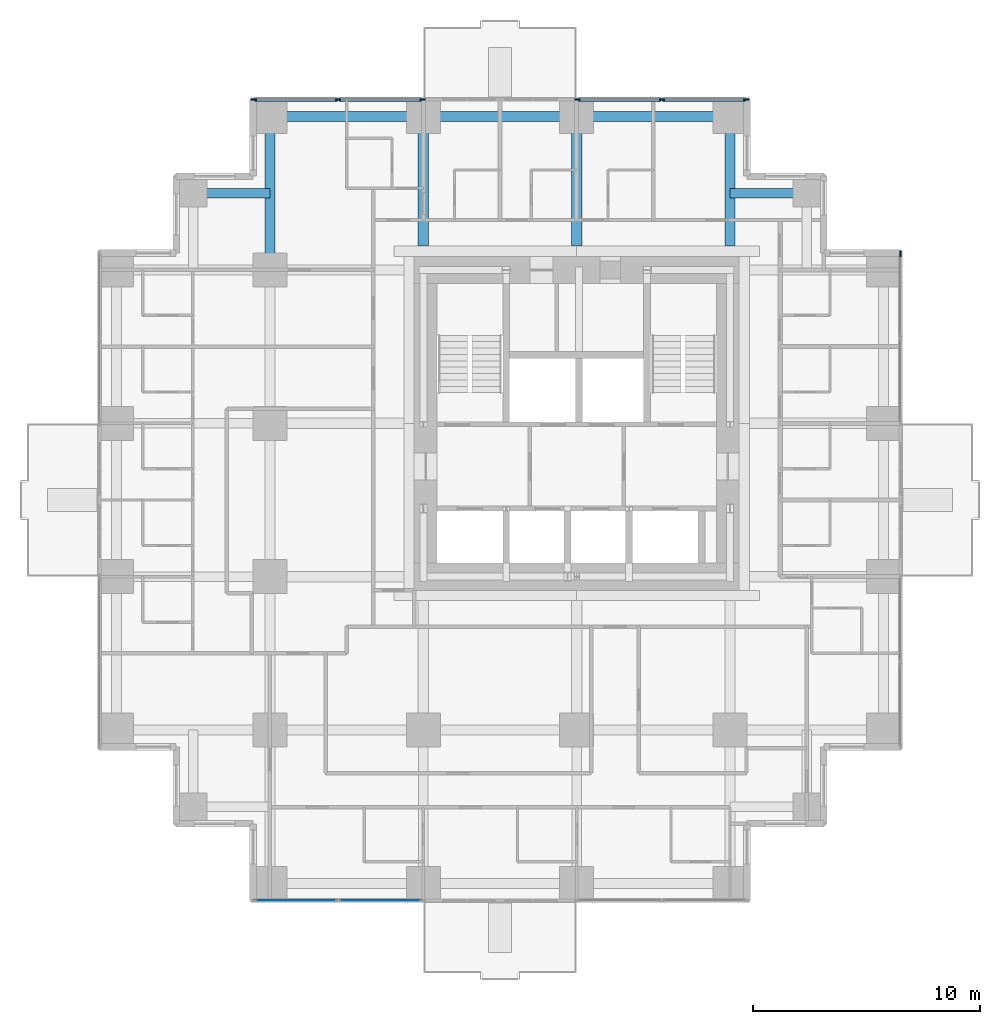
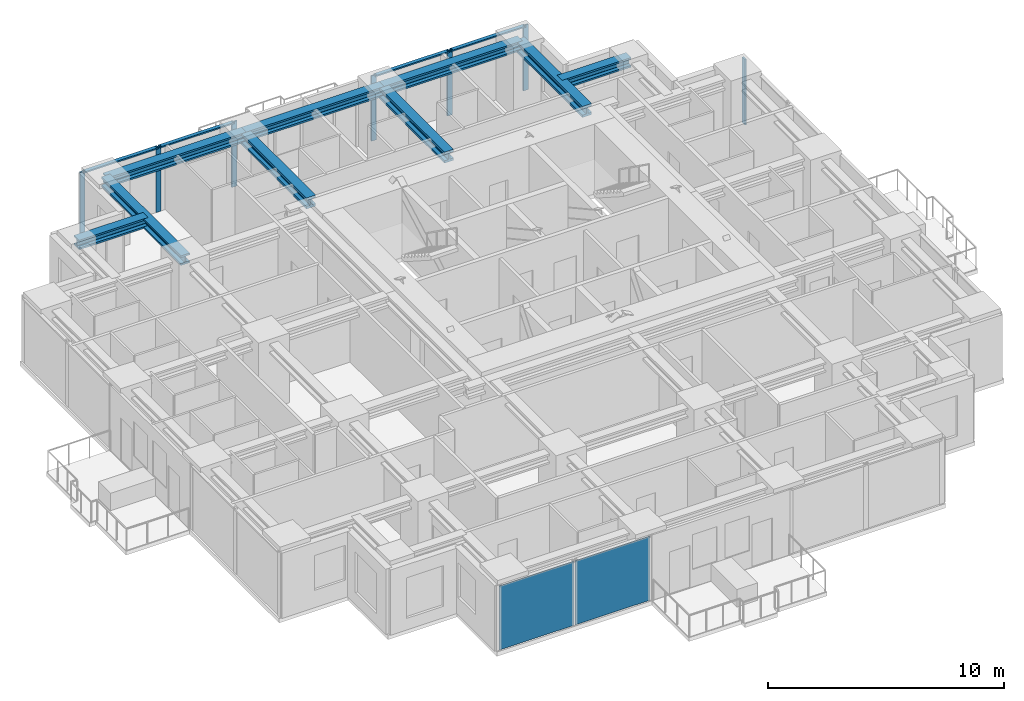
# One storey, part 3 of 10: 11 members, 9 beams, 2 plates, 4 elements without a shape of their own.
"""IFC4 building model written with IfcOpenShell, lengths in metres."""

from ifc_helpers import new_model, si_unit, direction, frame, origin, origin_2d, place, context, subcontext, project, spatial, rectangle, i_section, extrude, material, layer, layer_set, material_profile, profile_set, type_object, element, aggregate, save


model = new_model("IFC4")

# Units and contexts
model_context = context("Model", 3, precision=1e-05, world=origin(), true_north=direction((0.0, 1.0)))
body_context = subcontext(model_context, "Body", "Model", "MODEL_VIEW")
ifc_project = project(units=[si_unit("LENGTHUNIT", "METRE"), si_unit("AREAUNIT", "SQUARE_METRE"), si_unit("VOLUMEUNIT", "CUBIC_METRE"), si_unit("PLANEANGLEUNIT", "RADIAN"), si_unit("MASSUNIT", "GRAM", prefix="KILO")], contexts=[model_context])

# Site, building, storey
site_placement = place(None, origin())
site = spatial("IfcSite", under=ifc_project, at=site_placement, CompositionType="ELEMENT")
building_placement = place(site_placement, origin())
building = spatial("IfcBuilding", under=site, at=building_placement, Name="Nyansa Garden Tower", CompositionType="ELEMENT")
storey_placement = place(building_placement, frame((0.0, 0.0, 156.60009765625)))
storey = spatial("IfcBuildingStorey", under=building, at=storey_placement, Name="L42", CompositionType="ELEMENT", Elevation=156.60009765625)

# Curtain wall, member
ifc_material_1 = material(Name="Black anodised aluminium, dark tinted double glazing", Category="aluminium")
curtain_wall_type = type_object("IfcCurtainWallType", Name="Inner skin curtain wall ISW-C", PredefinedType="USERDEFINED", material=ifc_material_1)
curtain_wall_1_placement = place(storey_placement, origin())
curtain_wall_1 = element("IfcCurtainWall", 1, at=curtain_wall_1_placement, inside=storey, type_object=curtain_wall_type, Name="Inner skin curtain wall L42 E", ObjectType="UNITISED CURTAIN WALL", PredefinedType="USERDEFINED")
ifc_material_2 = material(Name="Black anodised aluminium", Category="aluminium")
ifc_material_profile_1 = material_profile(ifc_material_2, rectangle(XDim=0.070068359375, YDim=0.25, at=origin_2d()), Name="Mullion 250x70")
ifc_profile_set_1 = profile_set([ifc_material_profile_1], Name="Black anodised aluminium")
member_type_1 = type_object("IfcMemberType", Name="Mullion ISW-C 250x70", PredefinedType="MULLION", material=ifc_profile_set_1)
member_1_placement = place(storey_placement, frame((34.5, 27.715087890625, 0.0), z_axis=(0.0, 0.0, 1.0), x_axis=(-1.0, 0.0, 0.0)))
member_1 = element("IfcMember", 2, at=member_1_placement, type_object=member_type_1, Name="ISW-C mullion 3", PredefinedType="MULLION", context=body_context, shape_type="SweptSolid", body=[
    extrude(rectangle(XDim=0.070068359375, YDim=0.25, at=origin_2d()), origin(), (0.0, 0.0, 1.0), 3.375),
])
aggregate(curtain_wall_1, [member_1])

# Curtain wall, members
curtain_wall_2_placement = place(storey_placement, origin())
curtain_wall_2 = element("IfcCurtainWall", 3, at=curtain_wall_2_placement, inside=storey, type_object=curtain_wall_type, Name="Inner skin curtain wall L42 N", ObjectType="UNITISED CURTAIN WALL", PredefinedType="USERDEFINED")
member_2_placement = place(storey_placement, frame((13.465087890625, 34.5, 0.0), z_axis=(0.0, 0.0, 1.0), x_axis=(0.0, -1.0, 0.0)))
member_2 = element("IfcMember", 4, at=member_2_placement, type_object=member_type_1, Name="ISW-C mullion 1", PredefinedType="MULLION", context=body_context, shape_type="SweptSolid", body=[
    extrude(rectangle(XDim=0.070068359375, YDim=0.25, at=origin_2d()), origin(), (0.0, 0.0, 1.0), 3.375),
])
member_3_placement = place(storey_placement, frame((9.75, 34.5, 0.0), z_axis=(0.0, 0.0, 1.0), x_axis=(0.0, -1.0, 0.0)))
member_3 = element("IfcMember", 5, at=member_3_placement, type_object=member_type_1, Name="ISW-C mullion 2", PredefinedType="MULLION", context=body_context, shape_type="SweptSolid", body=[
    extrude(rectangle(XDim=0.070068359375, YDim=0.25, at=origin_2d()), origin(), (0.0, 0.0, 1.0), 3.375),
])
member_4_placement = place(storey_placement, frame((6.034912109375, 34.5, 0.0), z_axis=(0.0, 0.0, 1.0), x_axis=(0.0, -1.0, 0.0)))
member_4 = element("IfcMember", 6, at=member_4_placement, type_object=member_type_1, Name="ISW-C mullion 3", PredefinedType="MULLION", context=body_context, shape_type="SweptSolid", body=[
    extrude(rectangle(XDim=0.070068359375, YDim=0.25, at=origin_2d()), origin(), (0.0, 0.0, 1.0), 3.375),
])

curtain_wall_3_placement = place(storey_placement, origin())
curtain_wall_3 = element("IfcCurtainWall", 7, at=curtain_wall_3_placement, inside=storey, type_object=curtain_wall_type, Name="Inner skin curtain wall L42 N", ObjectType="UNITISED CURTAIN WALL", PredefinedType="USERDEFINED")
member_5_placement = place(storey_placement, frame((27.715087890625, 34.5, 0.0), z_axis=(0.0, 0.0, 1.0), x_axis=(0.0, -1.0, 0.0)))
member_5 = element("IfcMember", 8, at=member_5_placement, type_object=member_type_1, Name="ISW-C mullion 1", PredefinedType="MULLION", context=body_context, shape_type="SweptSolid", body=[
    extrude(rectangle(XDim=0.070068359375, YDim=0.25, at=origin_2d()), origin(), (0.0, 0.0, 1.0), 3.375),
])
member_6_placement = place(storey_placement, frame((24.0, 34.5, 0.0), z_axis=(0.0, 0.0, 1.0), x_axis=(0.0, -1.0, 0.0)))
member_6 = element("IfcMember", 9, at=member_6_placement, type_object=member_type_1, Name="ISW-C mullion 2", PredefinedType="MULLION", context=body_context, shape_type="SweptSolid", body=[
    extrude(rectangle(XDim=0.070068359375, YDim=0.25, at=origin_2d()), origin(), (0.0, 0.0, 1.0), 3.375),
])
member_7_placement = place(storey_placement, frame((20.284912109375, 34.5, 0.0), z_axis=(0.0, 0.0, 1.0), x_axis=(0.0, -1.0, 0.0)))
member_7 = element("IfcMember", 10, at=member_7_placement, type_object=member_type_1, Name="ISW-C mullion 3", PredefinedType="MULLION", context=body_context, shape_type="SweptSolid", body=[
    extrude(rectangle(XDim=0.070068359375, YDim=0.25, at=origin_2d()), origin(), (0.0, 0.0, 1.0), 3.375),
])

# Beams
ifc_material_3 = material(Name="Steel S355", Category="steel")
ifc_material_profile_2 = material_profile(ifc_material_3, i_section(OverallWidth=0.431884765625, OverallDepth=0.498046875, WebThickness=0.0556640625, FlangeThickness=0.0888671875, FilletRadius=0.014892578125, at=origin_2d()), Name="HD 400x744")
ifc_profile_set_2 = profile_set([ifc_material_profile_2], Name="Steel S355")
beam_type_1 = type_object("IfcBeamType", Name="Steel beam SBC1-744 HD 400x744", PredefinedType="BEAM", material=ifc_profile_set_2)
beam_placement = place(storey_placement, frame((6.75, 27.0, 3.1259765625), z_axis=(0.0, 1.0, 0.0), x_axis=(-1.0, 0.0, 0.0)))
element("IfcBeam", 11, at=beam_placement, inside=storey, type_object=beam_type_1, Name="Steel beam 3/H-3/J L43", PredefinedType="BEAM", context=body_context, shape_type="SweptSolid", body=[
    extrude(i_section(OverallWidth=0.431884765625, OverallDepth=0.498046875, WebThickness=0.0556640625, FlangeThickness=0.0888671875, FilletRadius=0.014892578125, at=origin_2d()), origin(), (0.0, 0.0, 1.0), 6.75),
])
ifc_material_4 = material(Name="Steel S355", Category="steel")
ifc_material_profile_3 = material_profile(ifc_material_4, i_section(OverallWidth=0.4541015625, OverallDepth=0.569091796875, WebThickness=0.077880859375, FlangeThickness=0.125, FilletRadius=0.014892578125, at=origin_2d()), Name="HD 400x1086")
ifc_profile_set_3 = profile_set([ifc_material_profile_3], Name="Steel S355")
beam_type_2 = type_object("IfcBeamType", Name="Steel beam SCL-1086 HD 400x1086", PredefinedType="BEAM", material=ifc_profile_set_3)
for number, where, z_axis, x_axis, name in (
    (12, (13.5, 28.050048828125, 3.09033203125), (0.0, 1.0, 0.0), (-1.0, 0.0, 0.0), "Steel beam 4/28.050-4/J L43"),
    (13, (20.25, 28.050048828125, 3.09033203125), (0.0, 1.0, 0.0), (-1.0, 0.0, 0.0), "Steel beam 5/28.050-5/J L43"),
    (14, (27.0, 28.050048828125, 3.09033203125), (0.0, 1.0, 0.0), (-1.0, 0.0, 0.0), "Steel beam 6/28.050-6/J L43"),
):
    element("IfcBeam", number, at=place(storey_placement, frame(where, z_axis=z_axis, x_axis=x_axis)), inside=storey, type_object=beam_type_2, Name=name, PredefinedType="BEAM", context=body_context, shape_type="SweptSolid", body=[
        extrude(i_section(OverallWidth=0.4541015625, OverallDepth=0.569091796875, WebThickness=0.077880859375, FlangeThickness=0.125, FilletRadius=0.014892578125, at=origin_2d()), origin(), (0.0, 0.0, 1.0), 5.699951171875),
    ])
ifc_material_5 = material(Name="Steel S355", Category="steel")
ifc_material_profile_4 = material_profile(ifc_material_5, i_section(OverallWidth=0.431884765625, OverallDepth=0.498046875, WebThickness=0.0556640625, FlangeThickness=0.0888671875, FilletRadius=0.014892578125, at=origin_2d()), Name="HD 400x744")
ifc_profile_set_4 = profile_set([ifc_material_profile_4], Name="Steel S355")
beam_type_3 = type_object("IfcBeamType", Name="Steel beam SEBC-744 HD 400x744", PredefinedType="BEAM", material=ifc_profile_set_4)
for number, where, z_axis, x_axis, name in (
    (15, (6.75, 33.75, 3.1259765625), (1.0, 0.0, 0.0), (0.0, 1.0, 0.0), "Steel edge beam 3/J-4/J L43"),
    (16, (13.5, 33.75, 3.1259765625), (1.0, 0.0, 0.0), (0.0, 1.0, 0.0), "Steel edge beam 4/J-5/J L43"),
    (17, (20.25, 33.75, 3.1259765625), (1.0, 0.0, 0.0), (0.0, 1.0, 0.0), "Steel edge beam 5/J-6/J L43"),
):
    element("IfcBeam", number, at=place(storey_placement, frame(where, z_axis=z_axis, x_axis=x_axis)), inside=storey, type_object=beam_type_3, Name=name, PredefinedType="BEAM", context=body_context, shape_type="SweptSolid", body=[
        extrude(i_section(OverallWidth=0.431884765625, OverallDepth=0.498046875, WebThickness=0.0556640625, FlangeThickness=0.0888671875, FilletRadius=0.014892578125, at=origin_2d()), origin(), (0.0, 0.0, 1.0), 6.75),
    ])
ifc_material_6 = material(Name="Steel S355", Category="steel")
ifc_material_profile_5 = material_profile(ifc_material_6, i_section(OverallWidth=0.431884765625, OverallDepth=0.498046875, WebThickness=0.0556640625, FlangeThickness=0.0888671875, FilletRadius=0.014892578125, at=origin_2d()), Name="HD 400x744")
ifc_profile_set_5 = profile_set([ifc_material_profile_5], Name="Steel S355")
beam_type_4 = type_object("IfcBeamType", Name="Steel beam SSB1-744 HD 400x744", PredefinedType="BEAM", material=ifc_profile_set_5)
for number, where, z_axis, x_axis, name in (
    (18, (30.375, 30.375, 3.1259765625), (-1.0, 0.0, 0.0), (0.0, -1.0, 0.0), "Steel step beam 30.375/30.375 L43"),
    (19, (3.375, 30.375, 3.1259765625), (1.0, 0.0, 0.0), (0.0, 1.0, 0.0), "Steel step beam 3.375/30.375 L43"),
):
    element("IfcBeam", number, at=place(storey_placement, frame(where, z_axis=z_axis, x_axis=x_axis)), inside=storey, type_object=beam_type_4, Name=name, PredefinedType="BEAM", context=body_context, shape_type="SweptSolid", body=[
        extrude(i_section(OverallWidth=0.431884765625, OverallDepth=0.498046875, WebThickness=0.0556640625, FlangeThickness=0.0888671875, FilletRadius=0.014892578125, at=origin_2d()), origin(), (0.0, 0.0, 1.0), 3.375),
    ])

# Member
ifc_material_7 = material(Name="Black anodised aluminium", Category="aluminium")
ifc_material_profile_6 = material_profile(ifc_material_7, rectangle(XDim=0.179931640625, YDim=0.070068359375, at=origin_2d()), Name="Transom 180x70")
ifc_profile_set_6 = profile_set([ifc_material_profile_6], Name="Black anodised aluminium")
member_type_2 = type_object("IfcMemberType", Name="Transom ISW-C 180x70", PredefinedType="USERDEFINED", material=ifc_profile_set_6)
member_8_placement = place(storey_placement, frame((13.429931640625, 34.5, 3.33984375), z_axis=(-1.0, 0.0, 0.0), x_axis=(0.0, -1.0, 0.0)))
member_8 = element("IfcMember", 20, at=member_8_placement, type_object=member_type_2, Name="ISW-C transom 1", ObjectType="TRANSOM", PredefinedType="USERDEFINED", context=body_context, shape_type="SweptSolid", body=[
    extrude(rectangle(XDim=0.179931640625, YDim=0.070068359375, at=origin_2d()), origin(), (0.0, 0.0, 1.0), 3.64501953125),
])

member_9_placement = place(storey_placement, frame((9.715087890625, 34.5, 3.33984375), z_axis=(-1.0, 0.0, 0.0), x_axis=(0.0, -1.0, 0.0)))
member_9 = element("IfcMember", 21, at=member_9_placement, type_object=member_type_2, Name="ISW-C transom 2", ObjectType="TRANSOM", PredefinedType="USERDEFINED", context=body_context, shape_type="SweptSolid", body=[
    extrude(rectangle(XDim=0.179931640625, YDim=0.070068359375, at=origin_2d()), origin(), (0.0, 0.0, 1.0), 3.64501953125),
])

aggregate(curtain_wall_2, [member_2, member_3, member_4, member_8, member_9])

member_10_placement = place(storey_placement, frame((27.679931640625, 34.5, 3.33984375), z_axis=(-1.0, 0.0, 0.0), x_axis=(0.0, -1.0, 0.0)))
member_10 = element("IfcMember", 22, at=member_10_placement, type_object=member_type_2, Name="ISW-C transom 1", ObjectType="TRANSOM", PredefinedType="USERDEFINED", context=body_context, shape_type="SweptSolid", body=[
    extrude(rectangle(XDim=0.179931640625, YDim=0.070068359375, at=origin_2d()), origin(), (0.0, 0.0, 1.0), 3.64501953125),
])

member_11_placement = place(storey_placement, frame((23.965087890625, 34.5, 3.33984375), z_axis=(-1.0, 0.0, 0.0), x_axis=(0.0, -1.0, 0.0)))
member_11 = element("IfcMember", 23, at=member_11_placement, type_object=member_type_2, Name="ISW-C transom 2", ObjectType="TRANSOM", PredefinedType="USERDEFINED", context=body_context, shape_type="SweptSolid", body=[
    extrude(rectangle(XDim=0.179931640625, YDim=0.070068359375, at=origin_2d()), origin(), (0.0, 0.0, 1.0), 3.64501953125),
])

aggregate(curtain_wall_3, [member_5, member_6, member_7, member_10, member_11])

# Curtain wall, plates
curtain_wall_4_placement = place(storey_placement, origin())
curtain_wall_4 = element("IfcCurtainWall", 24, at=curtain_wall_4_placement, inside=storey, type_object=curtain_wall_type, Name="Inner skin curtain wall L42 S", ObjectType="UNITISED CURTAIN WALL", PredefinedType="USERDEFINED")
ifc_material_8 = material(Name="Dark tinted laminated double glazing", Category="glass")
ifc_layer = layer(ifc_material_8, 0.0400390625)
ifc_layer_set = layer_set([ifc_layer], Name="Dark tinted vision panel VP-C")
plate_type = type_object("IfcPlateType", Name="Dark tinted vision panel VP-C", PredefinedType="CURTAIN_PANEL", material=ifc_layer_set)
plate_1_placement = place(storey_placement, frame((7.892578125, -0.75, 0.0), z_axis=(0.0, 0.0, 1.0), x_axis=(1.0, 0.0, 0.0)))
plate_1 = element("IfcPlate", 25, at=plate_1_placement, type_object=plate_type, Name="ISW-C panel 1", PredefinedType="CURTAIN_PANEL", context=body_context, shape_type="SweptSolid", body=[
    extrude(rectangle(XDim=3.64501953125, YDim=0.0400390625, at=origin_2d()), origin(), (0.0, 0.0, 1.0), 3.304931640625),
])
plate_2_placement = place(storey_placement, frame((11.607421875, -0.75, 0.0), z_axis=(0.0, 0.0, 1.0), x_axis=(1.0, 0.0, 0.0)))
plate_2 = element("IfcPlate", 26, at=plate_2_placement, type_object=plate_type, Name="ISW-C panel 2", PredefinedType="CURTAIN_PANEL", context=body_context, shape_type="SweptSolid", body=[
    extrude(rectangle(XDim=3.64501953125, YDim=0.0400390625, at=origin_2d()), origin(), (0.0, 0.0, 1.0), 3.304931640625),
])
aggregate(curtain_wall_4, [plate_1, plate_2])

save(model, "model.ifc")
